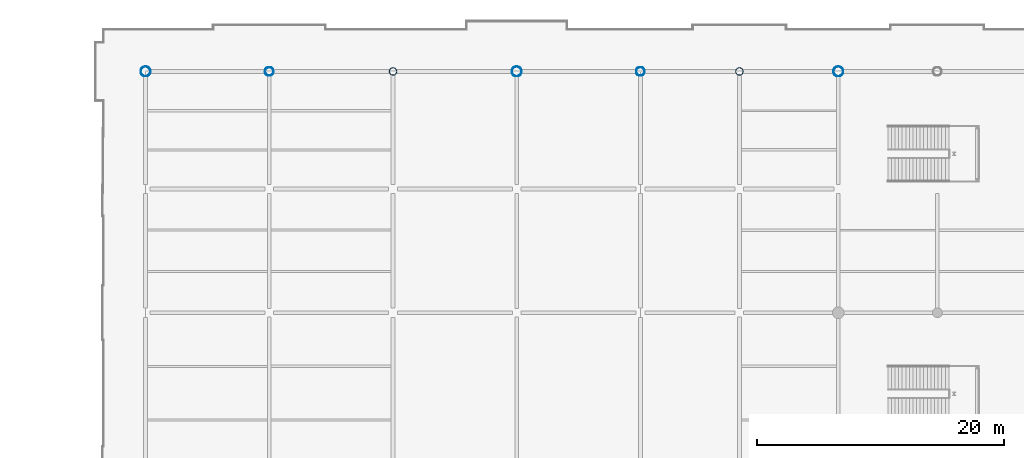
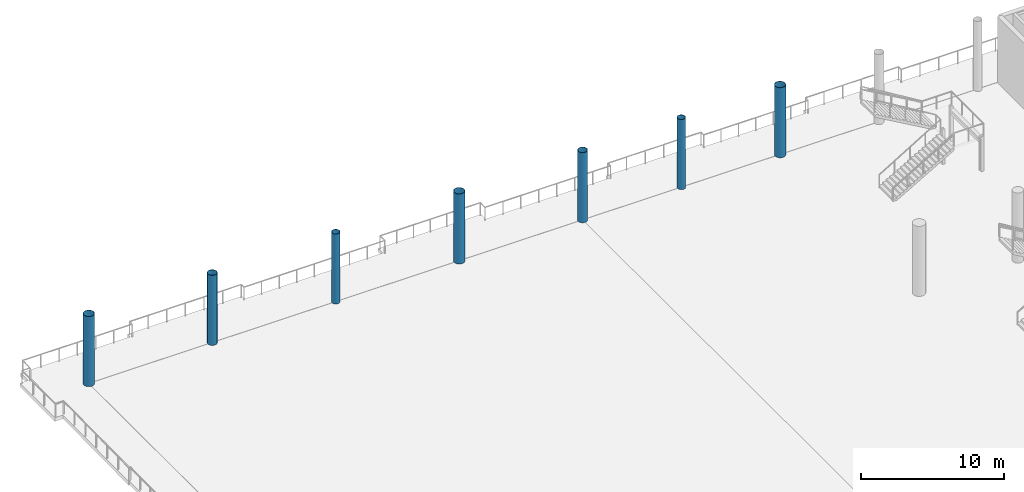
# One storey, part 22 of 163: 7 columns.
"""IFC4 building model written with IfcOpenShell, lengths in metres."""

from ifc_helpers import new_model, si_unit, direction, frame, origin, origin_2d, place, context, subcontext, project, spatial, hollow_circle, extrude, material, material_profile, profile_set, type_object, element, save


model = new_model("IFC4")

# Units and contexts
model_context = context("Model", 3, precision=1e-05, world=origin(), true_north=direction((0.0, 1.0)))
body_context = subcontext(model_context, "Body", "Model", "MODEL_VIEW")
ifc_project = project(units=[si_unit("LENGTHUNIT", "METRE"), si_unit("AREAUNIT", "SQUARE_METRE"), si_unit("VOLUMEUNIT", "CUBIC_METRE"), si_unit("PLANEANGLEUNIT", "RADIAN"), si_unit("MASSUNIT", "GRAM", prefix="KILO")], contexts=[model_context])

# Site, building, storey
site_placement = place(None, origin())
site = spatial("IfcSite", under=ifc_project, at=site_placement, CompositionType="ELEMENT")
building_placement = place(site_placement, origin())
building = spatial("IfcBuilding", under=site, at=building_placement, Name="Khorjan Park Terminus", CompositionType="ELEMENT")
storey_placement = place(building_placement, origin())
storey = spatial("IfcBuildingStorey", under=building, at=storey_placement, Name="L00", CompositionType="ELEMENT", Elevation=0.0)

# Columns
ifc_material = material(Name="Steel S355", Category="steel")
ifc_material_profile_1 = material_profile(ifc_material, hollow_circle(Radius=0.305, WallThickness=0.02, at=origin_2d()), Name="CHS 610x20")
ifc_profile_set_1 = profile_set([ifc_material_profile_1], Name="Steel S355")
column_type_1 = type_object("IfcColumnType", Name="COL-SH610E", PredefinedType="COLUMN", material=ifc_profile_set_1)
for number, where, z_axis, x_axis, name in (
    (1, (20.0, 154.0, 0.0), (0.0, 0.0, 1.0), (1.0, 0.0, 0.0), "Structural column SC-61 (L00 #30)"),
    (2, (48.0, 154.0, 0.0), (0.0, 0.0, 1.0), (1.0, 0.0, 0.0), "Structural column SC-61 (L00 #66)"),
):
    element("IfcColumn", number, at=place(storey_placement, frame(where, z_axis=z_axis, x_axis=x_axis)), inside=storey, type_object=column_type_1, Name=name, PredefinedType="COLUMN", context=body_context, shape_type="SweptSolid", body=[
        extrude(hollow_circle(Radius=0.305, WallThickness=0.02, at=origin_2d()), origin(), (0.0, 0.0, 1.0), 6.0),
    ])
ifc_material_profile_2 = material_profile(ifc_material, hollow_circle(Radius=0.3555, WallThickness=0.025, at=origin_2d()), Name="CHS 711x25")
ifc_profile_set_2 = profile_set([ifc_material_profile_2], Name="Steel S355")
column_type_2 = type_object("IfcColumnType", Name="COL-SH711E", PredefinedType="COLUMN", material=ifc_profile_set_2)
for number, where, z_axis, x_axis, name in (
    (3, (10.0, 154.0, 0.0), (0.0, 0.0, 1.0), (1.0, 0.0, 0.0), "Structural column SC-71 (L00 #18)"),
    (4, (40.0, 154.0, 0.0), (0.0, 0.0, 1.0), (1.0, 0.0, 0.0), "Structural column SC-71 (L00 #54)"),
):
    element("IfcColumn", number, at=place(storey_placement, frame(where, z_axis=z_axis, x_axis=x_axis)), inside=storey, type_object=column_type_2, Name=name, PredefinedType="COLUMN", context=body_context, shape_type="SweptSolid", body=[
        extrude(hollow_circle(Radius=0.3555, WallThickness=0.025, at=origin_2d()), origin(), (0.0, 0.0, 1.0), 6.0),
    ])
ifc_material_profile_3 = material_profile(ifc_material, hollow_circle(Radius=0.4065, WallThickness=0.025, at=origin_2d()), Name="CHS 813x25")
ifc_profile_set_3 = profile_set([ifc_material_profile_3], Name="Steel S355")
column_type_3 = type_object("IfcColumnType", Name="COL-SH813E", PredefinedType="COLUMN", material=ifc_profile_set_3)
for number, where, z_axis, x_axis, name in (
    (5, (0.0, 154.0, 0.0), (0.0, 0.0, 1.0), (1.0, 0.0, 0.0), "Structural column SC-81 (L00 #6)"),
    (6, (30.0, 154.0, 0.0), (0.0, 0.0, 1.0), (1.0, 0.0, 0.0), "Structural column SC-81 (L00 #42)"),
    (7, (56.0, 154.0, 0.0), (0.0, 0.0, 1.0), (1.0, 0.0, 0.0), "Structural column SC-81 (L00 #78)"),
):
    element("IfcColumn", number, at=place(storey_placement, frame(where, z_axis=z_axis, x_axis=x_axis)), inside=storey, type_object=column_type_3, Name=name, PredefinedType="COLUMN", context=body_context, shape_type="SweptSolid", body=[
        extrude(hollow_circle(Radius=0.4065, WallThickness=0.025, at=origin_2d()), origin(), (0.0, 0.0, 1.0), 6.0),
    ])

save(model, "model.ifc")
